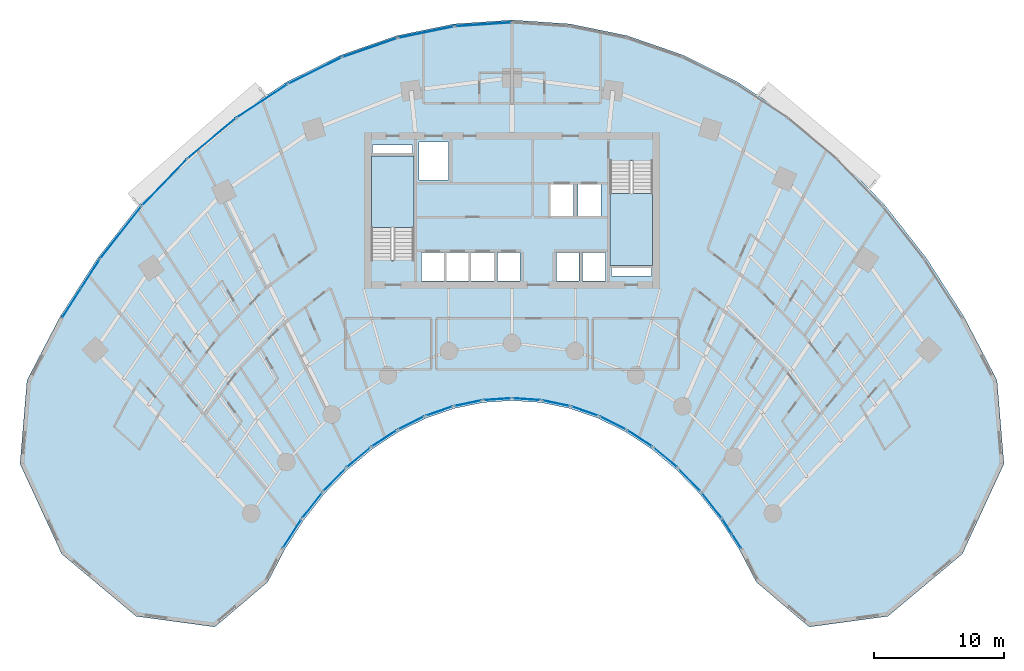
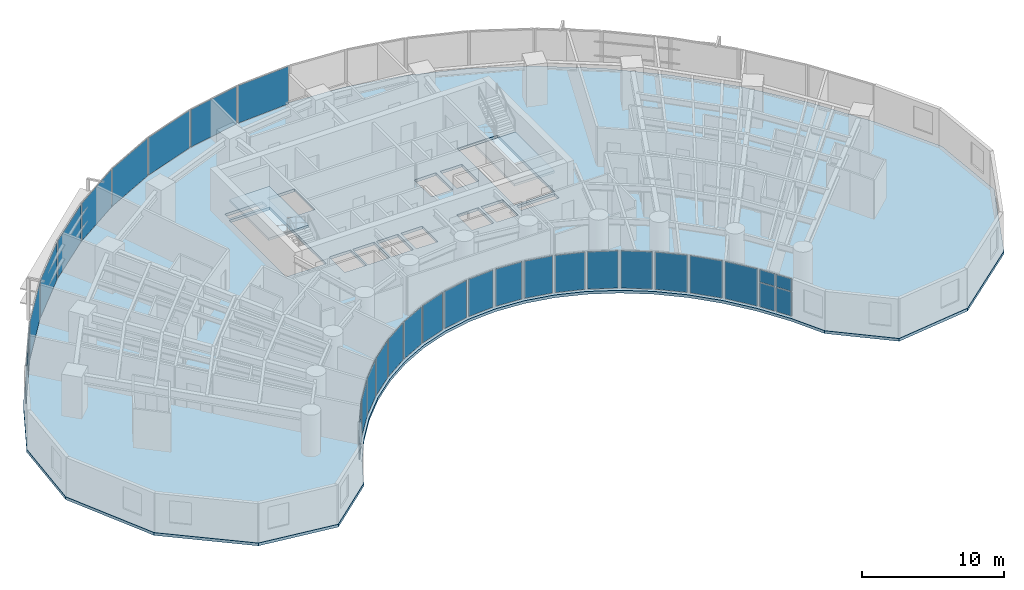
# One storey, part 9 of 18: 33 plates, 3 slabs, 29 elements without a shape of their own.
"""IFC4 building model written with IfcOpenShell, lengths in metres."""

from ifc_helpers import new_model, si_unit, direction, frame, origin, origin_2d, place, context, subcontext, project, spatial, polyline, rectangle, outline, extrude, source, transform, mapped, material, layer, layer_set, type_object, type_shapes, element, aggregate, save


model = new_model("IFC4")

# Units and contexts
model_context = context("Model", 3, precision=1e-05, world=origin(), true_north=direction((0.0, 1.0)))
body_context = subcontext(model_context, "Body", "Model", "MODEL_VIEW")
ifc_project = project(units=[si_unit("LENGTHUNIT", "METRE"), si_unit("AREAUNIT", "SQUARE_METRE"), si_unit("VOLUMEUNIT", "CUBIC_METRE"), si_unit("PLANEANGLEUNIT", "RADIAN"), si_unit("MASSUNIT", "GRAM", prefix="KILO")], contexts=[model_context])

# Site, building, storey
site_placement = place(None, origin())
site = spatial("IfcSite", under=ifc_project, at=site_placement, CompositionType="ELEMENT")
building_placement = place(site_placement, origin())
building = spatial("IfcBuilding", under=site, at=building_placement, Name="Breltana Convention Tower", CompositionType="ELEMENT")
storey_placement = place(building_placement, frame((0.0, 0.0, 35.39990234375)))
storey = spatial("IfcBuildingStorey", under=building, at=storey_placement, Name="L06", CompositionType="ELEMENT", Elevation=35.39990234375)

# Slab
ifc_material_1 = material(Name="Concrete C40/50", Category="concrete")
ifc_layer_1 = layer(ifc_material_1, 0.239990234375, Name="Concrete C40/50")
ifc_layer_set_1 = layer_set([ifc_layer_1], Name="Concrete C40/50")
slab_type_1 = type_object("IfcSlabType", Name="SL-HTL-240", PredefinedType="FLOOR", material=ifc_layer_set_1)
slab_1_placement = place(storey_placement, frame((0.0, 0.0, -0.239990234375)))
element("IfcSlab", 1, at=slab_1_placement, inside=storey, type_object=slab_type_1, Name="L06 Suspended Structural Floor Slab", PredefinedType="FLOOR", context=body_context, shape_type="SweptSolid", body=[
    extrude(outline(polyline([(85.229248046875, 53.173095703125), (82.687744140625, 58.054931640625), (79.791015625, 62.567626953125), (76.569091796875, 66.664794921875), (73.05419921875, 70.304931640625), (69.283203125, 73.450439453125), (65.2939453125, 76.069091796875), (61.1279296875, 78.134033203125), (56.827392578125, 79.62451171875), (52.436279296875, 80.52490234375), (48.0, 80.825927734375), (43.563720703125, 80.52490234375), (39.172607421875, 79.62451171875), (34.8720703125, 78.134033203125), (30.7060546875, 76.069091796875), (26.716796875, 73.450439453125), (22.94580078125, 70.304931640625), (19.430908203125, 66.664794921875), (16.208984375, 62.567626953125), (13.312255859375, 58.054931640625), (10.770751953125, 53.173095703125), (10.234619140625, 46.75927734375), (13.433837890625, 39.8388671875), (19.14697265625, 35.055419921875), (25.191162109375, 34.235595703125), (29.258056640625, 37.693115234375), (30.53759765625, 40.150634765625), (31.995849609375, 42.42236328125), (33.617919921875, 44.485107421875), (35.38720703125, 46.3173828125), (37.28564453125, 47.90087890625), (39.2939453125, 49.21923828125), (41.39111328125, 50.2587890625), (43.55615234375, 51.009033203125), (45.7666015625, 51.46240234375), (48.0, 51.614013671875), (50.2333984375, 51.46240234375), (52.44384765625, 51.009033203125), (54.60888671875, 50.2587890625), (56.7060546875, 49.21923828125), (58.71435546875, 47.90087890625), (60.61279296875, 46.3173828125), (62.382080078125, 44.485107421875), (64.004150390625, 42.42236328125), (65.46240234375, 40.150634765625), (66.741943359375, 37.693115234375), (70.808837890625, 34.235595703125), (76.85302734375, 35.055419921875), (82.566162109375, 39.8388671875), (85.765380859375, 46.75927734375), (85.229248046875, 53.173095703125)]), holes=[polyline([(37.199951171875, 62.385009765625), (40.469970703125, 62.385009765625), (40.469970703125, 70.39990234375), (37.199951171875, 70.39990234375), (37.199951171875, 62.385009765625)]), polyline([(55.530029296875, 62.0), (58.800048828125, 62.0), (58.800048828125, 70.014892578125), (55.530029296875, 70.014892578125), (55.530029296875, 62.0)]), polyline([(41.0400390625, 60.800048828125), (42.800048828125, 60.800048828125), (42.800048828125, 62.97998046875), (41.0400390625, 62.97998046875), (41.0400390625, 60.800048828125)]), polyline([(42.93994140625, 60.800048828125), (44.699951171875, 60.800048828125), (44.699951171875, 62.97998046875), (42.93994140625, 62.97998046875), (42.93994140625, 60.800048828125)]), polyline([(44.8701171875, 60.800048828125), (46.6298828125, 60.800048828125), (46.6298828125, 62.97998046875), (44.8701171875, 62.97998046875), (44.8701171875, 60.800048828125)]), polyline([(46.8701171875, 60.800048828125), (48.6298828125, 60.800048828125), (48.6298828125, 62.97998046875), (46.8701171875, 62.97998046875), (46.8701171875, 60.800048828125)]), polyline([(51.39990234375, 60.800048828125), (53.159912109375, 60.800048828125), (53.159912109375, 62.97998046875), (51.39990234375, 62.97998046875), (51.39990234375, 60.800048828125)]), polyline([(53.39990234375, 60.800048828125), (55.159912109375, 60.800048828125), (55.159912109375, 62.97998046875), (53.39990234375, 62.97998046875), (53.39990234375, 60.800048828125)]), polyline([(50.969970703125, 65.800048828125), (52.72998046875, 65.800048828125), (52.72998046875, 68.179931640625), (50.969970703125, 68.179931640625), (50.969970703125, 65.800048828125)]), polyline([(53.070068359375, 65.800048828125), (54.830078125, 65.800048828125), (54.830078125, 68.179931640625), (53.070068359375, 68.179931640625), (53.070068359375, 65.800048828125)]), polyline([(40.8798828125, 68.550048828125), (43.1201171875, 68.550048828125), (43.1201171875, 71.449951171875), (40.8798828125, 71.449951171875), (40.8798828125, 68.550048828125)]), polyline([(37.300048828125, 70.60009765625), (40.3798828125, 70.60009765625), (40.3798828125, 71.219970703125), (37.300048828125, 71.219970703125), (37.300048828125, 70.60009765625)]), polyline([(55.6201171875, 61.179931640625), (58.699951171875, 61.179931640625), (58.699951171875, 61.800048828125), (55.6201171875, 61.800048828125), (55.6201171875, 61.179931640625)])]), origin(), (0.0, 0.0, 1.0), 0.239990234375),
])

# Stair, slab
stair_type = type_object("IfcStairType", Name="ST-DOG-1560-R180", PredefinedType="HALF_TURN_STAIR", material=ifc_material_1)
stair_1_placement = place(storey_placement, origin())
stair_1 = element("IfcStair", 2, at=stair_1_placement, inside=storey, type_object=stair_type, Name="L06 Protected Core Exit Stair ST-1", PredefinedType="HALF_TURN_STAIR")
ifc_layer_2 = layer(ifc_material_1, 0.199951171875, Name="Concrete C40/50")
ifc_layer_set_2 = layer_set([ifc_layer_2], Name="Concrete C40/50")
slab_type_2 = type_object("IfcSlabType", Name="SL-STAIR-LANDING-200", PredefinedType="LANDING", material=ifc_layer_set_2)
slab_2_placement = place(storey_placement, frame((0.0, 0.0, 1.60009765625)))
slab_2 = element("IfcSlab", 3, at=slab_2_placement, type_object=slab_type_2, Name="ST-1 landing 1", PredefinedType="LANDING", context=body_context, shape_type="SweptSolid", body=[
    extrude(outline(polyline([(40.469970703125, 64.8798828125), (40.469970703125, 70.39990234375), (37.199951171875, 70.39990234375), (37.199951171875, 64.8798828125), (40.469970703125, 64.8798828125)])), origin(), (0.0, 0.0, 1.0), 0.199951171875),
])
aggregate(stair_1, [slab_2])

stair_2_placement = place(storey_placement, origin())
stair_2 = element("IfcStair", 4, at=stair_2_placement, inside=storey, type_object=stair_type, Name="L06 Protected Core Exit Stair ST-2", PredefinedType="HALF_TURN_STAIR")
slab_3_placement = place(storey_placement, frame((0.0, 0.0, 1.60009765625)))
slab_3 = element("IfcSlab", 5, at=slab_3_placement, type_object=slab_type_2, Name="ST-2 landing 1", PredefinedType="LANDING", context=body_context, shape_type="SweptSolid", body=[
    extrude(outline(polyline([(55.530029296875, 67.52001953125), (55.530029296875, 62.0), (58.800048828125, 62.0), (58.800048828125, 67.52001953125), (55.530029296875, 67.52001953125)])), origin(), (0.0, 0.0, 1.0), 0.199951171875),
])
aggregate(stair_2, [slab_3])

# Curtain wall, plates
ifc_material_2 = material(Name="Aluminium Anodised Bronze Frame", Category="aluminium")
ifc_layer_3 = layer(ifc_material_2, 0.18994140625, Name="Aluminium Anodised Bronze Frame")
ifc_layer_set_3 = layer_set([ifc_layer_3], Name="Aluminium Anodised Bronze Frame")
curtain_wall_type_1 = type_object("IfcCurtainWallType", Name="CW-SYS-1", PredefinedType="NOTDEFINED", material=ifc_layer_set_3)
curtain_wall_1_placement = place(storey_placement, origin())
curtain_wall_1 = element("IfcCurtainWall", 6, at=curtain_wall_1_placement, inside=storey, type_object=curtain_wall_type_1, Name="L06 inner south-court glazing 1", PredefinedType="NOTDEFINED")
ifc_material_3 = material(Name="Glass Low-E Double Glazing", Category="glass")
ifc_layer_4 = layer(ifc_material_3, 0.028076171875, Name="Glass Low-E Double Glazing")
ifc_layer_set_4 = layer_set([ifc_layer_4], Name="Glass Low-E Double Glazing")
plate_type_1 = type_object("IfcPlateType", Name="CWP-IGU-28", PredefinedType="CURTAIN_PANEL", material=ifc_layer_set_4)
shared_shape_1 = source(origin(), body_context, "Body", "SweptSolid", [
    extrude(rectangle(XDim=1.229736328125, YDim=0.028076171875, at=origin_2d()), origin(), (0.0, 0.0, 1.0), 2.06396484375),
])
plate_1_placement = place(storey_placement, frame((65.238525390625, 40.83251953125, 0.080078125), z_axis=(0.0, 0.0, 1.0), x_axis=(-0.540169576197, 0.841556194767, 0.0)))
plate_1 = element("IfcPlate", 7, at=plate_1_placement, type_object=plate_type_1, Name="CW-01 panel 1.1", PredefinedType="CURTAIN_PANEL", context=body_context, shape_type="MappedRepresentation", body=[
    mapped(shared_shape_1, transform((0.0, 0.0, 0.0), scale=1.0)),
])
plate_2_placement = place(storey_placement, frame((64.531005859375, 41.934814453125, 0.080078125), z_axis=(0.0, 0.0, 1.0), x_axis=(-0.540169576197, 0.841556194767, 0.0)))
plate_2 = element("IfcPlate", 8, at=plate_2_placement, type_object=plate_type_1, Name="CW-01 panel 2.1", PredefinedType="CURTAIN_PANEL", context=body_context, shape_type="MappedRepresentation", body=[
    mapped(shared_shape_1, transform((0.0, 0.0, 0.0), scale=1.0)),
])
shared_shape_2 = source(origin(), body_context, "Body", "SweptSolid", [
    extrude(rectangle(XDim=1.229736328125, YDim=0.028076171875, at=origin_2d()), origin(), (0.0, 0.0, 1.0), 1.055908203125),
])
plate_3_placement = place(storey_placement, frame((65.238525390625, 40.83251953125, 2.22412109375), z_axis=(0.0, 0.0, 1.0), x_axis=(-0.540169576197, 0.841556194767, 0.0)))
plate_3 = element("IfcPlate", 9, at=plate_3_placement, type_object=plate_type_1, Name="CW-01 panel 1.2", PredefinedType="CURTAIN_PANEL", context=body_context, shape_type="MappedRepresentation", body=[
    mapped(shared_shape_2, transform((0.0, 0.0, 0.0), scale=1.0)),
])
plate_4_placement = place(storey_placement, frame((64.531005859375, 41.934814453125, 2.22412109375), z_axis=(0.0, 0.0, 1.0), x_axis=(-0.540169576197, 0.841556194767, 0.0)))
plate_4 = element("IfcPlate", 10, at=plate_4_placement, type_object=plate_type_1, Name="CW-01 panel 2.2", PredefinedType="CURTAIN_PANEL", context=body_context, shape_type="MappedRepresentation", body=[
    mapped(shared_shape_2, transform((0.0, 0.0, 0.0), scale=1.0)),
])
aggregate(curtain_wall_1, [plate_1, plate_3, plate_2, plate_4])

# Curtain wall, plate
curtain_wall_2_placement = place(storey_placement, origin())
curtain_wall_2 = element("IfcCurtainWall", 11, at=curtain_wall_2_placement, inside=storey, type_object=curtain_wall_type_1, Name="L06 inner south-court glazing 2", PredefinedType="NOTDEFINED")
shared_shape_3 = source(origin(), body_context, "Body", "SweptSolid", [
    extrude(rectangle(XDim=2.464111328125, YDim=0.028076171875, at=origin_2d()), origin(), (0.0, 0.0, 1.0), 3.199951171875),
])
plate_5_placement = place(storey_placement, frame((63.334716796875, 43.56494140625, 0.080078125), z_axis=(0.0, 0.0, 1.0), x_axis=(-0.61815305034, 0.786057762734, 0.0)))
plate_5 = element("IfcPlate", 12, at=plate_5_placement, type_object=plate_type_1, Name="CW-01 panel 1.1", PredefinedType="CURTAIN_PANEL", context=body_context, shape_type="MappedRepresentation", body=[
    mapped(shared_shape_3, transform((0.0, 0.0, 0.0), scale=1.0)),
])
aggregate(curtain_wall_2, [plate_5])

curtain_wall_3_placement = place(storey_placement, origin())
curtain_wall_3 = element("IfcCurtainWall", 13, at=curtain_wall_3_placement, inside=storey, type_object=curtain_wall_type_1, Name="L06 inner south-court glazing 17", PredefinedType="NOTDEFINED")
plate_6_placement = place(storey_placement, frame((32.665283203125, 43.56494140625, 0.080078125), z_axis=(0.0, 0.0, 1.0), x_axis=(-0.61815305034, -0.786057762734, 0.0)))
plate_6 = element("IfcPlate", 14, at=plate_6_placement, type_object=plate_type_1, Name="CW-01 panel 1.1", PredefinedType="CURTAIN_PANEL", context=body_context, shape_type="MappedRepresentation", body=[
    mapped(shared_shape_3, transform((0.0, 0.0, 0.0), scale=1.0)),
])
aggregate(curtain_wall_3, [plate_6])

curtain_wall_4_placement = place(storey_placement, origin())
curtain_wall_4 = element("IfcCurtainWall", 15, at=curtain_wall_4_placement, inside=storey, type_object=curtain_wall_type_1, Name="L06 inner south-court glazing 3", PredefinedType="NOTDEFINED")
shared_shape_4 = source(origin(), body_context, "Body", "SweptSolid", [
    extrude(rectangle(XDim=2.38720703125, YDim=0.028076171875, at=origin_2d()), origin(), (0.0, 0.0, 1.0), 3.199951171875),
])
plate_7_placement = place(storey_placement, frame((61.626953125, 45.5263671875, 0.080078125), z_axis=(0.0, 0.0, 1.0), x_axis=(-0.694612029111, 0.719384548773, 0.0)))
plate_7 = element("IfcPlate", 16, at=plate_7_placement, type_object=plate_type_1, Name="CW-01 panel 1.1", PredefinedType="CURTAIN_PANEL", context=body_context, shape_type="MappedRepresentation", body=[
    mapped(shared_shape_4, transform((0.0, 0.0, 0.0), scale=1.0)),
])
aggregate(curtain_wall_4, [plate_7])

curtain_wall_5_placement = place(storey_placement, origin())
curtain_wall_5 = element("IfcCurtainWall", 17, at=curtain_wall_5_placement, inside=storey, type_object=curtain_wall_type_1, Name="L06 inner south-court glazing 16", PredefinedType="NOTDEFINED")
plate_8_placement = place(storey_placement, frame((34.373046875, 45.5263671875, 0.080078125), z_axis=(0.0, 0.0, 1.0), x_axis=(-0.694612029111, -0.719384548773, 0.0)))
plate_8 = element("IfcPlate", 18, at=plate_8_placement, type_object=plate_type_1, Name="CW-01 panel 1.1", PredefinedType="CURTAIN_PANEL", context=body_context, shape_type="MappedRepresentation", body=[
    mapped(shared_shape_4, transform((0.0, 0.0, 0.0), scale=1.0)),
])
aggregate(curtain_wall_5, [plate_8])

curtain_wall_6_placement = place(storey_placement, origin())
curtain_wall_6 = element("IfcCurtainWall", 19, at=curtain_wall_6_placement, inside=storey, type_object=curtain_wall_type_1, Name="L06 inner south-court glazing 4", PredefinedType="NOTDEFINED")
shared_shape_5 = source(origin(), body_context, "Body", "SweptSolid", [
    extrude(rectangle(XDim=2.312255859375, YDim=0.028076171875, at=origin_2d()), origin(), (0.0, 0.0, 1.0), 3.199951171875),
])
plate_9_placement = place(storey_placement, frame((59.77880859375, 47.24755859375, 0.080078125), z_axis=(0.0, 0.0, 1.0), x_axis=(-0.767939382804, 0.640522524458, 0.0)))
plate_9 = element("IfcPlate", 20, at=plate_9_placement, type_object=plate_type_1, Name="CW-01 panel 1.1", PredefinedType="CURTAIN_PANEL", context=body_context, shape_type="MappedRepresentation", body=[
    mapped(shared_shape_5, transform((0.0, 0.0, 0.0), scale=1.0)),
])
aggregate(curtain_wall_6, [plate_9])

curtain_wall_7_placement = place(storey_placement, origin())
curtain_wall_7 = element("IfcCurtainWall", 21, at=curtain_wall_7_placement, inside=storey, type_object=curtain_wall_type_1, Name="L06 inner south-court glazing 15", PredefinedType="NOTDEFINED")
plate_10_placement = place(storey_placement, frame((36.22119140625, 47.24755859375, 0.080078125), z_axis=(0.0, 0.0, 1.0), x_axis=(-0.767939382804, -0.640522524458, 0.0)))
plate_10 = element("IfcPlate", 22, at=plate_10_placement, type_object=plate_type_1, Name="CW-01 panel 1.1", PredefinedType="CURTAIN_PANEL", context=body_context, shape_type="MappedRepresentation", body=[
    mapped(shared_shape_5, transform((0.0, 0.0, 0.0), scale=1.0)),
])
aggregate(curtain_wall_7, [plate_10])

curtain_wall_8_placement = place(storey_placement, origin())
curtain_wall_8 = element("IfcCurtainWall", 23, at=curtain_wall_8_placement, inside=storey, type_object=curtain_wall_type_1, Name="L06 inner south-court glazing 5", PredefinedType="NOTDEFINED")
shared_shape_6 = source(origin(), body_context, "Body", "SweptSolid", [
    extrude(rectangle(XDim=2.2421875, YDim=0.028076171875, at=origin_2d()), origin(), (0.0, 0.0, 1.0), 3.199951171875),
])
plate_11_placement = place(storey_placement, frame((57.80908203125, 48.710693359375, 0.080078125), z_axis=(0.0, 0.0, 1.0), x_axis=(-0.835967942634, 0.548778278441, 0.0)))
plate_11 = element("IfcPlate", 24, at=plate_11_placement, type_object=plate_type_1, Name="CW-01 panel 1.1", PredefinedType="CURTAIN_PANEL", context=body_context, shape_type="MappedRepresentation", body=[
    mapped(shared_shape_6, transform((0.0, 0.0, 0.0), scale=1.0)),
])
aggregate(curtain_wall_8, [plate_11])

curtain_wall_9_placement = place(storey_placement, origin())
curtain_wall_9 = element("IfcCurtainWall", 25, at=curtain_wall_9_placement, inside=storey, type_object=curtain_wall_type_1, Name="L06 inner south-court glazing 14", PredefinedType="NOTDEFINED")
plate_12_placement = place(storey_placement, frame((38.19091796875, 48.710693359375, 0.080078125), z_axis=(0.0, 0.0, 1.0), x_axis=(-0.835967942634, -0.548778278441, 0.0)))
plate_12 = element("IfcPlate", 26, at=plate_12_placement, type_object=plate_type_1, Name="CW-01 panel 1.1", PredefinedType="CURTAIN_PANEL", context=body_context, shape_type="MappedRepresentation", body=[
    mapped(shared_shape_6, transform((0.0, 0.0, 0.0), scale=1.0)),
])
aggregate(curtain_wall_9, [plate_12])

curtain_wall_10_placement = place(storey_placement, origin())
curtain_wall_10 = element("IfcCurtainWall", 27, at=curtain_wall_10_placement, inside=storey, type_object=curtain_wall_type_1, Name="L06 inner south-court glazing 6", PredefinedType="NOTDEFINED")
shared_shape_7 = source(origin(), body_context, "Body", "SweptSolid", [
    extrude(rectangle(XDim=2.180908203125, YDim=0.028076171875, at=origin_2d()), origin(), (0.0, 0.0, 1.0), 3.199951171875),
])
plate_13_placement = place(storey_placement, frame((55.7373046875, 49.900390625, 0.080078125), z_axis=(0.0, 0.0, 1.0), x_axis=(-0.895968310315, 0.444117987602, 0.0)))
plate_13 = element("IfcPlate", 28, at=plate_13_placement, type_object=plate_type_1, Name="CW-01 panel 1.1", PredefinedType="CURTAIN_PANEL", context=body_context, shape_type="MappedRepresentation", body=[
    mapped(shared_shape_7, transform((0.0, 0.0, 0.0), scale=1.0)),
])
aggregate(curtain_wall_10, [plate_13])

curtain_wall_11_placement = place(storey_placement, origin())
curtain_wall_11 = element("IfcCurtainWall", 29, at=curtain_wall_11_placement, inside=storey, type_object=curtain_wall_type_1, Name="L06 inner south-court glazing 13", PredefinedType="NOTDEFINED")
plate_14_placement = place(storey_placement, frame((40.2626953125, 49.900390625, 0.080078125), z_axis=(0.0, 0.0, 1.0), x_axis=(-0.895968310315, -0.444117987602, 0.0)))
plate_14 = element("IfcPlate", 30, at=plate_14_placement, type_object=plate_type_1, Name="CW-01 panel 1.1", PredefinedType="CURTAIN_PANEL", context=body_context, shape_type="MappedRepresentation", body=[
    mapped(shared_shape_7, transform((0.0, 0.0, 0.0), scale=1.0)),
])
aggregate(curtain_wall_11, [plate_14])

curtain_wall_12_placement = place(storey_placement, origin())
curtain_wall_12 = element("IfcCurtainWall", 31, at=curtain_wall_12_placement, inside=storey, type_object=curtain_wall_type_1, Name="L06 inner south-court glazing 7", PredefinedType="NOTDEFINED")
shared_shape_8 = source(origin(), body_context, "Body", "SweptSolid", [
    extrude(rectangle(XDim=2.13134765625, YDim=0.028076171875, at=origin_2d()), origin(), (0.0, 0.0, 1.0), 3.199951171875),
])
plate_15_placement = place(storey_placement, frame((53.585205078125, 50.80419921875, 0.080078125), z_axis=(0.0, 0.0, 1.0), x_axis=(-0.944881211406, 0.327413341714, 0.0)))
plate_15 = element("IfcPlate", 32, at=plate_15_placement, type_object=plate_type_1, Name="CW-01 panel 1.1", PredefinedType="CURTAIN_PANEL", context=body_context, shape_type="MappedRepresentation", body=[
    mapped(shared_shape_8, transform((0.0, 0.0, 0.0), scale=1.0)),
])
aggregate(curtain_wall_12, [plate_15])

curtain_wall_13_placement = place(storey_placement, origin())
curtain_wall_13 = element("IfcCurtainWall", 33, at=curtain_wall_13_placement, inside=storey, type_object=curtain_wall_type_1, Name="L06 inner south-court glazing 12", PredefinedType="NOTDEFINED")
plate_16_placement = place(storey_placement, frame((42.414794921875, 50.80419921875, 0.080078125), z_axis=(0.0, 0.0, 1.0), x_axis=(-0.944881211406, -0.327413341714, 0.0)))
plate_16 = element("IfcPlate", 34, at=plate_16_placement, type_object=plate_type_1, Name="CW-01 panel 1.1", PredefinedType="CURTAIN_PANEL", context=body_context, shape_type="MappedRepresentation", body=[
    mapped(shared_shape_8, transform((0.0, 0.0, 0.0), scale=1.0)),
])
aggregate(curtain_wall_13, [plate_16])

curtain_wall_14_placement = place(storey_placement, origin())
curtain_wall_14 = element("IfcCurtainWall", 35, at=curtain_wall_14_placement, inside=storey, type_object=curtain_wall_type_1, Name="L06 inner south-court glazing 8", PredefinedType="NOTDEFINED")
shared_shape_9 = source(origin(), body_context, "Body", "SweptSolid", [
    extrude(rectangle(XDim=2.096435546875, YDim=0.028076171875, at=origin_2d()), origin(), (0.0, 0.0, 1.0), 3.199951171875),
])
plate_17_placement = place(storey_placement, frame((51.374755859375, 51.412109375, 0.080078125), z_axis=(0.0, 0.0, 1.0), x_axis=(-0.97961455393, 0.200886350278, 0.0)))
plate_17 = element("IfcPlate", 36, at=plate_17_placement, type_object=plate_type_1, Name="CW-01 panel 1.1", PredefinedType="CURTAIN_PANEL", context=body_context, shape_type="MappedRepresentation", body=[
    mapped(shared_shape_9, transform((0.0, 0.0, 0.0), scale=1.0)),
])
aggregate(curtain_wall_14, [plate_17])

curtain_wall_15_placement = place(storey_placement, origin())
curtain_wall_15 = element("IfcCurtainWall", 37, at=curtain_wall_15_placement, inside=storey, type_object=curtain_wall_type_1, Name="L06 inner south-court glazing 11", PredefinedType="NOTDEFINED")
plate_18_placement = place(storey_placement, frame((44.625244140625, 51.412109375, 0.080078125), z_axis=(0.0, 0.0, 1.0), x_axis=(-0.97961455393, -0.200886350278, 0.0)))
plate_18 = element("IfcPlate", 38, at=plate_18_placement, type_object=plate_type_1, Name="CW-01 panel 1.1", PredefinedType="CURTAIN_PANEL", context=body_context, shape_type="MappedRepresentation", body=[
    mapped(shared_shape_9, transform((0.0, 0.0, 0.0), scale=1.0)),
])
aggregate(curtain_wall_15, [plate_18])

curtain_wall_16_placement = place(storey_placement, origin())
curtain_wall_16 = element("IfcCurtainWall", 39, at=curtain_wall_16_placement, inside=storey, type_object=curtain_wall_type_1, Name="L06 inner south-court glazing 9", PredefinedType="NOTDEFINED")
shared_shape_10 = source(origin(), body_context, "Body", "SweptSolid", [
    extrude(rectangle(XDim=2.078369140625, YDim=0.028076171875, at=origin_2d()), origin(), (0.0, 0.0, 1.0), 3.199951171875),
])
plate_19_placement = place(storey_placement, frame((49.12890625, 51.7177734375, 0.080078125), z_axis=(0.0, 0.0, 1.0), x_axis=(-0.997703975371, 0.067725752326, 0.0)))
plate_19 = element("IfcPlate", 40, at=plate_19_placement, type_object=plate_type_1, Name="CW-01 panel 1.1", PredefinedType="CURTAIN_PANEL", context=body_context, shape_type="MappedRepresentation", body=[
    mapped(shared_shape_10, transform((0.0, 0.0, 0.0), scale=1.0)),
])
aggregate(curtain_wall_16, [plate_19])

curtain_wall_17_placement = place(storey_placement, origin())
curtain_wall_17 = element("IfcCurtainWall", 41, at=curtain_wall_17_placement, inside=storey, type_object=curtain_wall_type_1, Name="L06 inner south-court glazing 10", PredefinedType="NOTDEFINED")
plate_20_placement = place(storey_placement, frame((46.87109375, 51.7177734375, 0.080078125), z_axis=(0.0, 0.0, 1.0), x_axis=(-0.997703975371, -0.067725752326, 0.0)))
plate_20 = element("IfcPlate", 42, at=plate_20_placement, type_object=plate_type_1, Name="CW-01 panel 1.1", PredefinedType="CURTAIN_PANEL", context=body_context, shape_type="MappedRepresentation", body=[
    mapped(shared_shape_10, transform((0.0, 0.0, 0.0), scale=1.0)),
])
aggregate(curtain_wall_17, [plate_20])

curtain_wall_18_placement = place(storey_placement, origin())
curtain_wall_18 = element("IfcCurtainWall", 43, at=curtain_wall_18_placement, inside=storey, type_object=curtain_wall_type_1, Name="L06 inner south-court glazing 18", PredefinedType="NOTDEFINED")
shared_shape_11 = source(origin(), body_context, "Body", "SweptSolid", [
    extrude(rectangle(XDim=2.53955078125, YDim=0.028076171875, at=origin_2d()), origin(), (0.0, 0.0, 1.0), 3.199951171875),
])
plate_21_placement = place(storey_placement, frame((31.115234375, 41.3837890625, 0.080078125), z_axis=(0.0, 0.0, 1.0), x_axis=(-0.540169576197, -0.841556194767, 0.0)))
plate_21 = element("IfcPlate", 44, at=plate_21_placement, type_object=plate_type_1, Name="CW-01 panel 1.1", PredefinedType="CURTAIN_PANEL", context=body_context, shape_type="MappedRepresentation", body=[
    mapped(shared_shape_11, transform((0.0, 0.0, 0.0), scale=1.0)),
])
aggregate(curtain_wall_18, [plate_21])

# Curtain wall, plates
ifc_layer_5 = layer(ifc_material_2, 0.199951171875, Name="Aluminium Anodised Bronze Frame")
ifc_layer_set_5 = layer_set([ifc_layer_5], Name="Aluminium Anodised Bronze Frame")
curtain_wall_type_2 = type_object("IfcCurtainWallType", Name="CW-SYS-2", PredefinedType="NOTDEFINED", material=ifc_layer_set_5)
curtain_wall_19_placement = place(storey_placement, origin())
curtain_wall_19 = element("IfcCurtainWall", 45, at=curtain_wall_19_placement, inside=storey, type_object=curtain_wall_type_2, Name="L06 outer double-skin inner glazing 1", PredefinedType="NOTDEFINED")
ifc_layer_6 = layer(ifc_material_3, 0.031982421875, Name="Glass Low-E Double Glazing")
ifc_layer_set_6 = layer_set([ifc_layer_6], Name="Glass Low-E Double Glazing")
plate_type_2 = type_object("IfcPlateType", Name="CWP-IGU-32", PredefinedType="CURTAIN_PANEL", material=ifc_layer_set_6)
shared_shape_12 = source(origin(), body_context, "Body", "SweptSolid", [
    extrude(rectangle(XDim=2.56787109375, YDim=0.031982421875, at=origin_2d()), origin(), (0.0, 0.0, 1.0), 2.0791015625),
])
type_shapes(plate_type_2, [shared_shape_12])
plate_22_placement = place(storey_placement, frame((14.199462890625, 59.103759765625, 0.070068359375), z_axis=(0.0, 0.0, 1.0), x_axis=(0.540180724109, 0.841549039154, 0.0)))
plate_22 = element("IfcPlate", 46, at=plate_22_placement, type_object=plate_type_2, Name="CW-02 panel 1.1", PredefinedType="CURTAIN_PANEL", context=body_context, shape_type="MappedRepresentation", body=[
    mapped(shared_shape_12, transform((0.0, 0.0, 0.0), scale=1.0)),
])
plate_23_placement = place(storey_placement, frame((15.624267578125, 61.32373046875, 0.070068359375), z_axis=(0.0, 0.0, 1.0), x_axis=(0.540180724109, 0.841549039154, 0.0)))
plate_23 = element("IfcPlate", 47, at=plate_23_placement, type_object=plate_type_2, Name="CW-02 panel 2.1", PredefinedType="CURTAIN_PANEL", context=body_context, shape_type="MappedRepresentation", body=[
    mapped(shared_shape_12, transform((0.0, 0.0, 0.0), scale=1.0)),
])
shared_shape_13 = source(origin(), body_context, "Body", "SweptSolid", [
    extrude(rectangle(XDim=2.56787109375, YDim=0.031982421875, at=origin_2d()), origin(), (0.0, 0.0, 1.0), 1.071044921875),
])
plate_24_placement = place(storey_placement, frame((14.199462890625, 59.103759765625, 2.21923828125), z_axis=(0.0, 0.0, 1.0), x_axis=(0.540180724109, 0.841549039154, 0.0)))
plate_24 = element("IfcPlate", 48, at=plate_24_placement, type_object=plate_type_2, Name="CW-02 panel 1.2", PredefinedType="CURTAIN_PANEL", context=body_context, shape_type="MappedRepresentation", body=[
    mapped(shared_shape_13, transform((0.0, 0.0, 0.0), scale=1.0)),
])
plate_25_placement = place(storey_placement, frame((15.624267578125, 61.32373046875, 2.21923828125), z_axis=(0.0, 0.0, 1.0), x_axis=(0.540180724109, 0.841549039154, 0.0)))
plate_25 = element("IfcPlate", 49, at=plate_25_placement, type_object=plate_type_2, Name="CW-02 panel 2.2", PredefinedType="CURTAIN_PANEL", context=body_context, shape_type="MappedRepresentation", body=[
    mapped(shared_shape_13, transform((0.0, 0.0, 0.0), scale=1.0)),
])
aggregate(curtain_wall_19, [plate_22, plate_24, plate_23, plate_25])

# Curtain wall, plate
curtain_wall_20_placement = place(storey_placement, origin())
curtain_wall_20 = element("IfcCurtainWall", 50, at=curtain_wall_20_placement, inside=storey, type_object=curtain_wall_type_2, Name="L06 outer double-skin inner glazing 2", PredefinedType="NOTDEFINED")
shared_shape_14 = source(origin(), body_context, "Body", "SweptSolid", [
    extrude(rectangle(XDim=5.0546875, YDim=0.031982421875, at=origin_2d()), origin(), (0.0, 0.0, 1.0), 3.219970703125),
])
plate_26_placement = place(storey_placement, frame((17.961181640625, 64.504638671875, 0.0703125), z_axis=(0.0, 0.0, 1.0), x_axis=(0.618153917633, 0.786057080698, 0.0)))
plate_26 = element("IfcPlate", 51, at=plate_26_placement, type_object=plate_type_2, Name="CW-02 panel 1.1", PredefinedType="CURTAIN_PANEL", context=body_context, shape_type="MappedRepresentation", body=[
    mapped(shared_shape_14, transform((0.0, 0.0, 0.0), scale=1.0)),
])
aggregate(curtain_wall_20, [plate_26])

curtain_wall_21_placement = place(storey_placement, origin())
curtain_wall_21 = element("IfcCurtainWall", 52, at=curtain_wall_21_placement, inside=storey, type_object=curtain_wall_type_2, Name="L06 outer double-skin inner glazing 3", PredefinedType="NOTDEFINED")
shared_shape_15 = source(origin(), body_context, "Body", "SweptSolid", [
    extrude(rectangle(XDim=4.901123046875, YDim=0.031982421875, at=origin_2d()), origin(), (0.0, 0.0, 1.0), 3.219970703125),
])
plate_27_placement = place(storey_placement, frame((21.317626953125, 68.359619140625, 0.0703125), z_axis=(0.0, 0.0, 1.0), x_axis=(0.694610090106, 0.719386421003, 0.0)))
plate_27 = element("IfcPlate", 53, at=plate_27_placement, type_object=plate_type_2, Name="CW-02 panel 1.1", PredefinedType="CURTAIN_PANEL", context=body_context, shape_type="MappedRepresentation", body=[
    mapped(shared_shape_15, transform((0.0, 0.0, 0.0), scale=1.0)),
])
aggregate(curtain_wall_21, [plate_27])

curtain_wall_22_placement = place(storey_placement, origin())
curtain_wall_22 = element("IfcCurtainWall", 54, at=curtain_wall_22_placement, inside=storey, type_object=curtain_wall_type_2, Name="L06 outer double-skin inner glazing 4", PredefinedType="NOTDEFINED")
shared_shape_16 = source(origin(), body_context, "Body", "SweptSolid", [
    extrude(rectangle(XDim=4.7509765625, YDim=0.031982421875, at=origin_2d()), origin(), (0.0, 0.0, 1.0), 3.219970703125),
])
plate_28_placement = place(storey_placement, frame((24.9462890625, 71.7392578125, 0.0703125), z_axis=(0.0, 0.0, 1.0), x_axis=(0.767941326958, 0.640520193554, 0.0)))
plate_28 = element("IfcPlate", 55, at=plate_28_placement, type_object=plate_type_2, Name="CW-02 panel 1.1", PredefinedType="CURTAIN_PANEL", context=body_context, shape_type="MappedRepresentation", body=[
    mapped(shared_shape_16, transform((0.0, 0.0, 0.0), scale=1.0)),
])
aggregate(curtain_wall_22, [plate_28])

curtain_wall_23_placement = place(storey_placement, origin())
curtain_wall_23 = element("IfcCurtainWall", 56, at=curtain_wall_23_placement, inside=storey, type_object=curtain_wall_type_2, Name="L06 outer double-skin inner glazing 5", PredefinedType="NOTDEFINED")
shared_shape_17 = source(origin(), body_context, "Body", "SweptSolid", [
    extrude(rectangle(XDim=4.610595703125, YDim=0.031982421875, at=origin_2d()), origin(), (0.0, 0.0, 1.0), 3.219970703125),
])
plate_29_placement = place(storey_placement, frame((28.81005859375, 74.609130859375, 0.0703125), z_axis=(0.0, 0.0, 1.0), x_axis=(0.83596401875, 0.548784255746, 0.0)))
plate_29 = element("IfcPlate", 57, at=plate_29_placement, type_object=plate_type_2, Name="CW-02 panel 1.1", PredefinedType="CURTAIN_PANEL", context=body_context, shape_type="MappedRepresentation", body=[
    mapped(shared_shape_17, transform((0.0, 0.0, 0.0), scale=1.0)),
])
aggregate(curtain_wall_23, [plate_29])

curtain_wall_24_placement = place(storey_placement, origin())
curtain_wall_24 = element("IfcCurtainWall", 58, at=curtain_wall_24_placement, inside=storey, type_object=curtain_wall_type_2, Name="L06 outer double-skin inner glazing 6", PredefinedType="NOTDEFINED")
shared_shape_18 = source(origin(), body_context, "Body", "SweptSolid", [
    extrude(rectangle(XDim=4.487548828125, YDim=0.031982421875, at=origin_2d()), origin(), (0.0, 0.0, 1.0), 3.219970703125),
])
plate_30_placement = place(storey_placement, frame((32.86865234375, 76.940185546875, 0.0703125), z_axis=(0.0, 0.0, 1.0), x_axis=(0.895973407804, 0.444107703726, 0.0)))
plate_30 = element("IfcPlate", 59, at=plate_30_placement, type_object=plate_type_2, Name="CW-02 panel 1.1", PredefinedType="CURTAIN_PANEL", context=body_context, shape_type="MappedRepresentation", body=[
    mapped(shared_shape_18, transform((0.0, 0.0, 0.0), scale=1.0)),
])
aggregate(curtain_wall_24, [plate_30])

curtain_wall_25_placement = place(storey_placement, origin())
curtain_wall_25 = element("IfcCurtainWall", 60, at=curtain_wall_25_placement, inside=storey, type_object=curtain_wall_type_2, Name="L06 outer double-skin inner glazing 7", PredefinedType="NOTDEFINED")
shared_shape_19 = source(origin(), body_context, "Body", "SweptSolid", [
    extrude(rectangle(XDim=4.388427734375, YDim=0.031982421875, at=origin_2d()), origin(), (0.0, 0.0, 1.0), 3.219970703125),
])
plate_31_placement = place(storey_placement, frame((37.0810546875, 78.709228515625, 0.0703125), z_axis=(0.0, 0.0, 1.0), x_axis=(0.944876012163, 0.32742834581, 0.0)))
plate_31 = element("IfcPlate", 61, at=plate_31_placement, type_object=plate_type_2, Name="CW-02 panel 1.1", PredefinedType="CURTAIN_PANEL", context=body_context, shape_type="MappedRepresentation", body=[
    mapped(shared_shape_19, transform((0.0, 0.0, 0.0), scale=1.0)),
])
aggregate(curtain_wall_25, [plate_31])

curtain_wall_26_placement = place(storey_placement, origin())
curtain_wall_26 = element("IfcCurtainWall", 62, at=curtain_wall_26_placement, inside=storey, type_object=curtain_wall_type_2, Name="L06 outer double-skin inner glazing 8", PredefinedType="NOTDEFINED")
shared_shape_20 = source(origin(), body_context, "Body", "SweptSolid", [
    extrude(rectangle(XDim=4.318359375, YDim=0.031982421875, at=origin_2d()), origin(), (0.0, 0.0, 1.0), 3.219970703125),
])
plate_32_placement = place(storey_placement, frame((41.404296875, 79.898193359375, 0.0703125), z_axis=(0.0, 0.0, 1.0), x_axis=(0.979614925743, 0.200884537139, 0.0)))
plate_32 = element("IfcPlate", 63, at=plate_32_placement, type_object=plate_type_2, Name="CW-02 panel 1.1", PredefinedType="CURTAIN_PANEL", context=body_context, shape_type="MappedRepresentation", body=[
    mapped(shared_shape_20, transform((0.0, 0.0, 0.0), scale=1.0)),
])
aggregate(curtain_wall_26, [plate_32])

curtain_wall_27_placement = place(storey_placement, origin())
curtain_wall_27 = element("IfcCurtainWall", 64, at=curtain_wall_27_placement, inside=storey, type_object=curtain_wall_type_2, Name="L06 outer double-skin inner glazing 9", PredefinedType="NOTDEFINED")
shared_shape_21 = source(origin(), body_context, "Body", "SweptSolid", [
    extrude(rectangle(XDim=4.2822265625, YDim=0.031982421875, at=origin_2d()), origin(), (0.0, 0.0, 1.0), 3.219970703125),
])
plate_33_placement = place(storey_placement, frame((45.7939453125, 80.495849609375, 0.0703125), z_axis=(0.0, 0.0, 1.0), x_axis=(0.997703982282, 0.067725650529, 0.0)))
plate_33 = element("IfcPlate", 65, at=plate_33_placement, type_object=plate_type_2, Name="CW-02 panel 1.1", PredefinedType="CURTAIN_PANEL", context=body_context, shape_type="MappedRepresentation", body=[
    mapped(shared_shape_21, transform((0.0, 0.0, 0.0), scale=1.0)),
])
aggregate(curtain_wall_27, [plate_33])

save(model, "model.ifc")
